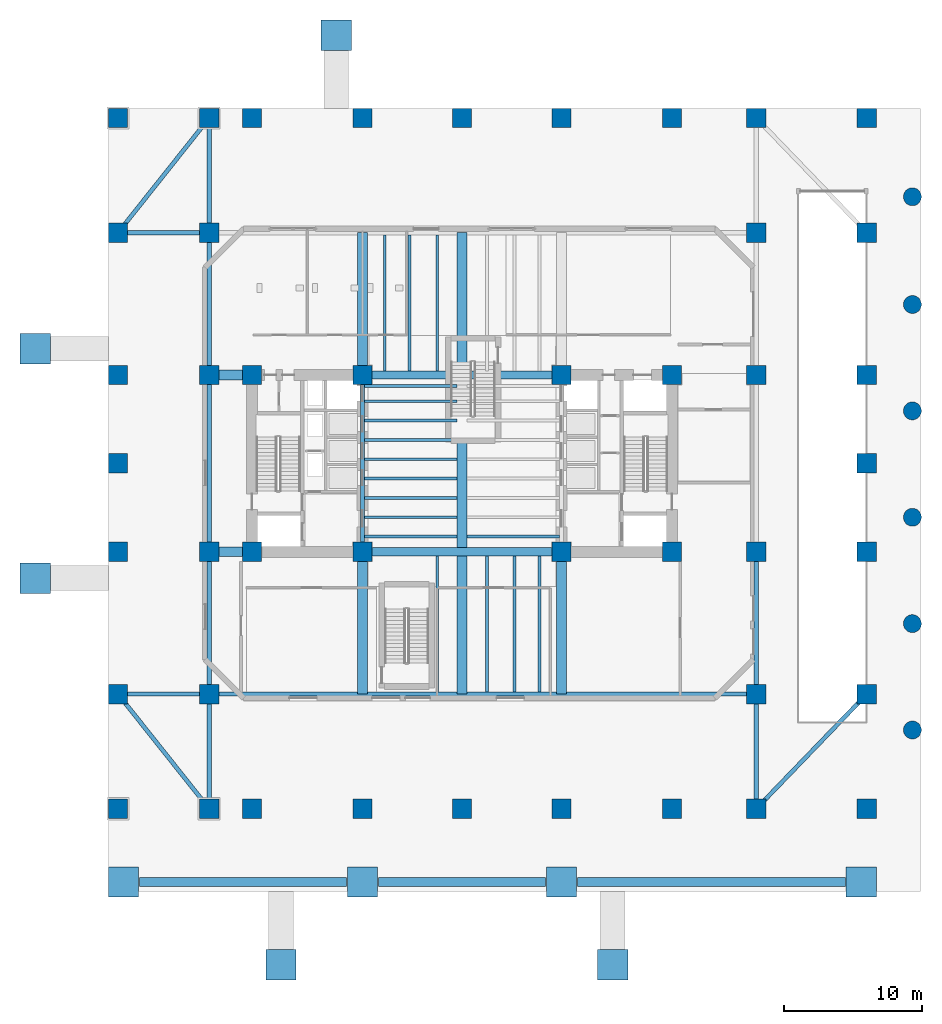
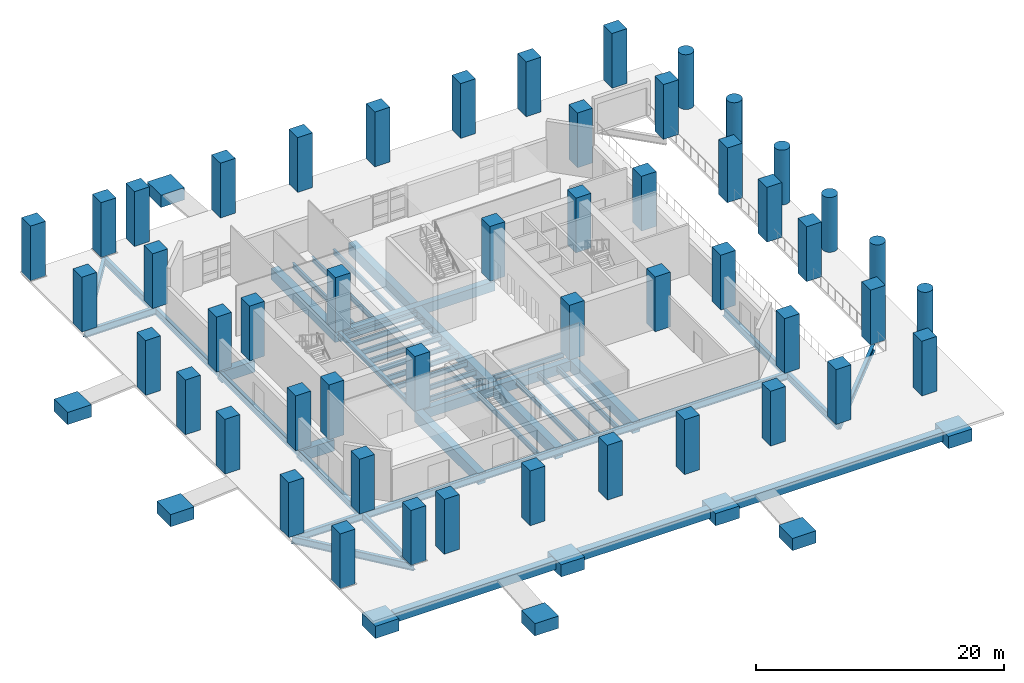
# One storey, part 1 of 12: 50 columns, 41 beams, 12 footings.
"""IFC4 building model written with IfcOpenShell, lengths in metres."""

from ifc_helpers import new_model, si_unit, direction, frame, origin, origin_2d, place, context, subcontext, project, spatial, rectangle, circle, i_section, extrude, material, layer, layer_set, material_profile, profile_set, type_object, element, save


model = new_model("IFC4")

# Units and contexts
model_context = context("Model", 3, precision=1e-05, world=origin(), true_north=direction((0.0, 1.0)))
body_context = subcontext(model_context, "Body", "Model", "MODEL_VIEW")
ifc_project = project(units=[si_unit("LENGTHUNIT", "METRE"), si_unit("AREAUNIT", "SQUARE_METRE"), si_unit("VOLUMEUNIT", "CUBIC_METRE"), si_unit("PLANEANGLEUNIT", "RADIAN"), si_unit("MASSUNIT", "GRAM", prefix="KILO")], contexts=[model_context])

# Site, building, storey
site_placement = place(None, origin())
site = spatial("IfcSite", under=ifc_project, at=site_placement, CompositionType="ELEMENT")
building_placement = place(site_placement, origin())
building = spatial("IfcBuilding", under=site, at=building_placement, Name="Kranthara Brick Stack", CompositionType="ELEMENT")
storey_placement = place(building_placement, origin())
storey = spatial("IfcBuildingStorey", under=building, at=storey_placement, Name="L00", CompositionType="ELEMENT", Elevation=0.0)

# Footings
ifc_material_1 = material(Name="Concrete C50/60", Category="concrete")
ifc_layer = layer(ifc_material_1, 1.199951171875)
ifc_layer_set = layer_set([ifc_layer], Name="Concrete C50/60")
footing_type_1 = type_object("IfcFootingType", Name="FT-PAD-2200", PredefinedType="PAD_FOOTING", material=ifc_layer_set)
for number, where, z_axis, x_axis, name in (
    (1, (3.5, -3.10009765625, -1.4501953125), (0.0, 0.0, 1.0), (1.0, 0.0, 0.0), "South Forecourt Pad Footing F02-S1"),
    (2, (20.800048828125, -3.10009765625, -1.4501953125), (0.0, 0.0, 1.0), (1.0, 0.0, 0.0), "South Forecourt Pad Footing F02-S2"),
    (3, (35.199951171875, -3.10009765625, -1.4501953125), (0.0, 0.0, 1.0), (1.0, 0.0, 0.0), "South Forecourt Pad Footing F02-S3"),
    (4, (56.89990234375, -3.10009765625, -1.4501953125), (0.0, 0.0, 1.0), (1.0, 0.0, 0.0), "South Forecourt Pad Footing F02-S4"),
    (5, (-2.89501953125, 18.89990234375, -1.5498046875), (0.0, 0.0, 1.0), (1.0, 0.0, 0.0), "Entrance Ramp Toe Pad Footing F02-R1"),
    (6, (-2.89501953125, 35.5, -1.5498046875), (0.0, 0.0, 1.0), (1.0, 0.0, 0.0), "Entrance Ramp Toe Pad Footing F02-R2"),
    (7, (14.89990234375, -9.094970703125, -1.5498046875), (0.0, 0.0, 1.0), (1.0, 0.0, 0.0), "Entrance Ramp Toe Pad Footing F02-R3"),
    (8, (38.89990234375, -9.094970703125, -1.5498046875), (0.0, 0.0, 1.0), (1.0, 0.0, 0.0), "Entrance Ramp Toe Pad Footing F02-R4"),
    (9, (18.89990234375, 58.195068359375, -1.5498046875), (0.0, 0.0, 1.0), (1.0, 0.0, 0.0), "Entrance Ramp Toe Pad Footing F02-R5"),
):
    element("IfcFooting", number, at=place(storey_placement, frame(where, z_axis=z_axis, x_axis=x_axis)), inside=storey, type_object=footing_type_1, Name=name, PredefinedType="PAD_FOOTING", context=body_context, shape_type="SweptSolid", body=[
        extrude(rectangle(XDim=2.199951171875, YDim=2.199951171875, at=origin_2d()), origin(), (0.0, 0.0, 1.0), 1.199951171875),
    ])
ifc_material_2 = material(Name="Concrete C50/60", Category="concrete")
ifc_material_profile_1 = material_profile(ifc_material_2, rectangle(XDim=0.64990234375, YDim=0.89990234375, at=origin_2d()), Name="RC 650x900")
ifc_profile_set_1 = profile_set([ifc_material_profile_1], Name="Concrete C50/60")
footing_type_2 = type_object("IfcFootingType", Name="FT-SF-900x1000", PredefinedType="STRIP_FOOTING", material=ifc_profile_set_1)
footing_1_placement = place(storey_placement, frame((4.64990234375, -3.10009765625, -0.699951171875), z_axis=(1.0, 0.0, 0.0), x_axis=(0.0, 1.0, 0.0)))
element("IfcFooting", 10, at=footing_1_placement, inside=storey, type_object=footing_type_2, Name="South Forecourt Strip Footing F04-S1", PredefinedType="STRIP_FOOTING", context=body_context, shape_type="SweptSolid", body=[
    extrude(rectangle(XDim=0.64990234375, YDim=0.89990234375, at=origin_2d()), origin(), (0.0, 0.0, 1.0), 15.0),
])
footing_2_placement = place(storey_placement, frame((21.949951171875, -3.10009765625, -0.699951171875), z_axis=(1.0, 0.0, 0.0), x_axis=(0.0, 1.0, 0.0)))
element("IfcFooting", 11, at=footing_2_placement, inside=storey, type_object=footing_type_2, Name="South Forecourt Strip Footing F04-S2", PredefinedType="STRIP_FOOTING", context=body_context, shape_type="SweptSolid", body=[
    extrude(rectangle(XDim=0.64990234375, YDim=0.89990234375, at=origin_2d()), origin(), (0.0, 0.0, 1.0), 12.10009765625),
])
footing_3_placement = place(storey_placement, frame((36.35009765625, -3.10009765625, -0.699951171875), z_axis=(1.0, 0.0, 0.0), x_axis=(0.0, 1.0, 0.0)))
element("IfcFooting", 12, at=footing_3_placement, inside=storey, type_object=footing_type_2, Name="South Forecourt Strip Footing F04-S3", PredefinedType="STRIP_FOOTING", context=body_context, shape_type="SweptSolid", body=[
    extrude(rectangle(XDim=0.64990234375, YDim=0.89990234375, at=origin_2d()), origin(), (0.0, 0.0, 1.0), 19.39990234375),
])

# Columns
ifc_material_3 = material(Name="Concrete C70/85", Category="concrete")
ifc_material_profile_2 = material_profile(ifc_material_3, rectangle(XDim=1.39990234375, YDim=1.39990234375, at=origin_2d()), Name="RC 1400x1400")
ifc_profile_set_2 = profile_set([ifc_material_profile_2], Name="Concrete C70/85")
column_type_1 = type_object("IfcColumnType", Name="COL-CORE-1400", PredefinedType="COLUMN", material=ifc_profile_set_2)
for number, where, z_axis, x_axis, name in (
    (13, (12.800048828125, 20.800048828125, 0.0), (0.0, 0.0, 1.0), (1.0, 0.0, 0.0), "L00 Column 01"),
    (14, (20.800048828125, 20.800048828125, 0.0), (0.0, 0.0, 1.0), (1.0, 0.0, 0.0), "L00 Column 02"),
    (15, (12.800048828125, 33.60009765625, 0.0), (0.0, 0.0, 1.0), (1.0, 0.0, 0.0), "L00 Column 03"),
    (16, (20.800048828125, 33.60009765625, 0.0), (0.0, 0.0, 1.0), (1.0, 0.0, 0.0), "L00 Column 04"),
    (17, (35.199951171875, 20.800048828125, 0.0), (0.0, 0.0, 1.0), (1.0, 0.0, 0.0), "L00 Column 05"),
    (18, (43.199951171875, 20.800048828125, 0.0), (0.0, 0.0, 1.0), (1.0, 0.0, 0.0), "L00 Column 06"),
    (19, (35.199951171875, 33.60009765625, 0.0), (0.0, 0.0, 1.0), (1.0, 0.0, 0.0), "L00 Column 07"),
    (20, (43.199951171875, 33.60009765625, 0.0), (0.0, 0.0, 1.0), (1.0, 0.0, 0.0), "L00 Column 08"),
):
    element("IfcColumn", number, at=place(storey_placement, frame(where, z_axis=z_axis, x_axis=x_axis)), inside=storey, type_object=column_type_1, Name=name, PredefinedType="COLUMN", context=body_context, shape_type="SweptSolid", body=[
        extrude(rectangle(XDim=1.39990234375, YDim=1.39990234375, at=origin_2d()), origin(), (0.0, 0.0, 1.0), 5.39990234375),
    ])
ifc_material_4 = material(Name="Concrete C70/85", Category="concrete")
ifc_material_profile_3 = material_profile(ifc_material_4, rectangle(XDim=1.39990234375, YDim=1.39990234375, at=origin_2d()), Name="RC 1400x1400")
ifc_profile_set_3 = profile_set([ifc_material_profile_3], Name="Concrete C70/85")
column_type_2 = type_object("IfcColumnType", Name="COL-RC-1400", PredefinedType="COLUMN", material=ifc_profile_set_3)
for number, where, z_axis, x_axis, name in (
    (21, (3.10009765625, 2.199951171875, 0.0), (0.0, 0.0, 1.0), (1.0, 0.0, 0.0), "L00 Column 09"),
    (22, (3.10009765625, 52.199951171875, 0.0), (0.0, 0.0, 1.0), (1.0, 0.0, 0.0), "L00 Column 10"),
    (23, (9.699951171875, 2.199951171875, 0.0), (0.0, 0.0, 1.0), (1.0, 0.0, 0.0), "L00 Column 11"),
    (24, (9.699951171875, 52.199951171875, 0.0), (0.0, 0.0, 1.0), (1.0, 0.0, 0.0), "L00 Column 12"),
    (25, (12.800048828125, 2.199951171875, 0.0), (0.0, 0.0, 1.0), (1.0, 0.0, 0.0), "L00 Column 13"),
    (26, (12.800048828125, 52.199951171875, 0.0), (0.0, 0.0, 1.0), (1.0, 0.0, 0.0), "L00 Column 14"),
    (27, (20.800048828125, 2.199951171875, 0.0), (0.0, 0.0, 1.0), (1.0, 0.0, 0.0), "L00 Column 15"),
    (28, (20.800048828125, 52.199951171875, 0.0), (0.0, 0.0, 1.0), (1.0, 0.0, 0.0), "L00 Column 16"),
    (29, (28.0, 2.199951171875, 0.0), (0.0, 0.0, 1.0), (1.0, 0.0, 0.0), "L00 Column 17"),
    (30, (28.0, 52.199951171875, 0.0), (0.0, 0.0, 1.0), (1.0, 0.0, 0.0), "L00 Column 18"),
    (31, (35.199951171875, 2.199951171875, 0.0), (0.0, 0.0, 1.0), (1.0, 0.0, 0.0), "L00 Column 19"),
    (32, (35.199951171875, 52.199951171875, 0.0), (0.0, 0.0, 1.0), (1.0, 0.0, 0.0), "L00 Column 20"),
    (33, (43.199951171875, 2.199951171875, 0.0), (0.0, 0.0, 1.0), (1.0, 0.0, 0.0), "L00 Column 21"),
    (34, (43.199951171875, 52.199951171875, 0.0), (0.0, 0.0, 1.0), (1.0, 0.0, 0.0), "L00 Column 22"),
    (35, (49.300048828125, 2.199951171875, 0.0), (0.0, 0.0, 1.0), (1.0, 0.0, 0.0), "L00 Column 23"),
    (36, (49.300048828125, 52.199951171875, 0.0), (0.0, 0.0, 1.0), (1.0, 0.0, 0.0), "L00 Column 24"),
    (37, (57.300048828125, 2.199951171875, 0.0), (0.0, 0.0, 1.0), (1.0, 0.0, 0.0), "L00 Column 25"),
    (38, (57.300048828125, 52.199951171875, 0.0), (0.0, 0.0, 1.0), (1.0, 0.0, 0.0), "L00 Column 26"),
    (39, (3.10009765625, 10.5, 0.0), (0.0, 0.0, 1.0), (1.0, 0.0, 0.0), "L00 Column 27"),
    (40, (57.300048828125, 10.5, 0.0), (0.0, 0.0, 1.0), (1.0, 0.0, 0.0), "L00 Column 28"),
    (41, (3.10009765625, 20.800048828125, 0.0), (0.0, 0.0, 1.0), (1.0, 0.0, 0.0), "L00 Column 29"),
    (42, (57.300048828125, 20.800048828125, 0.0), (0.0, 0.0, 1.0), (1.0, 0.0, 0.0), "L00 Column 30"),
    (43, (3.10009765625, 27.199951171875, 0.0), (0.0, 0.0, 1.0), (1.0, 0.0, 0.0), "L00 Column 31"),
    (44, (57.300048828125, 27.199951171875, 0.0), (0.0, 0.0, 1.0), (1.0, 0.0, 0.0), "L00 Column 32"),
    (45, (3.10009765625, 33.60009765625, 0.0), (0.0, 0.0, 1.0), (1.0, 0.0, 0.0), "L00 Column 33"),
    (46, (57.300048828125, 33.60009765625, 0.0), (0.0, 0.0, 1.0), (1.0, 0.0, 0.0), "L00 Column 34"),
    (47, (3.10009765625, 43.89990234375, 0.0), (0.0, 0.0, 1.0), (1.0, 0.0, 0.0), "L00 Column 35"),
    (48, (57.300048828125, 43.89990234375, 0.0), (0.0, 0.0, 1.0), (1.0, 0.0, 0.0), "L00 Column 36"),
    (49, (9.699951171875, 10.5, 0.0), (0.0, 0.0, 1.0), (1.0, 0.0, 0.0), "L00 Column 37"),
    (50, (9.699951171875, 20.800048828125, 0.0), (0.0, 0.0, 1.0), (1.0, 0.0, 0.0), "L00 Column 38"),
    (51, (9.699951171875, 33.60009765625, 0.0), (0.0, 0.0, 1.0), (1.0, 0.0, 0.0), "L00 Column 39"),
    (52, (9.699951171875, 43.89990234375, 0.0), (0.0, 0.0, 1.0), (1.0, 0.0, 0.0), "L00 Column 40"),
    (53, (49.300048828125, 10.5, 0.0), (0.0, 0.0, 1.0), (1.0, 0.0, 0.0), "L00 Column 41"),
    (54, (49.300048828125, 20.800048828125, 0.0), (0.0, 0.0, 1.0), (1.0, 0.0, 0.0), "L00 Column 42"),
    (55, (49.300048828125, 33.60009765625, 0.0), (0.0, 0.0, 1.0), (1.0, 0.0, 0.0), "L00 Column 43"),
    (56, (49.300048828125, 43.89990234375, 0.0), (0.0, 0.0, 1.0), (1.0, 0.0, 0.0), "L00 Column 44"),
):
    element("IfcColumn", number, at=place(storey_placement, frame(where, z_axis=z_axis, x_axis=x_axis)), inside=storey, type_object=column_type_2, Name=name, PredefinedType="COLUMN", context=body_context, shape_type="SweptSolid", body=[
        extrude(rectangle(XDim=1.39990234375, YDim=1.39990234375, at=origin_2d()), origin(), (0.0, 0.0, 1.0), 5.39990234375),
    ])
ifc_material_5 = material(Name="Concrete C70/85", Category="concrete")
ifc_material_profile_4 = material_profile(ifc_material_5, circle(Radius=0.64990234375, at=origin_2d()), Name="RC D1300")
ifc_profile_set_4 = profile_set([ifc_material_profile_4], Name="Concrete C70/85")
column_type_3 = type_object("IfcColumnType", Name="COL-RC-D1300", PredefinedType="COLUMN", material=ifc_profile_set_4)
for number, where, z_axis, x_axis, name in (
    (57, (60.60009765625, 7.89990234375, 0.0), (0.0, 0.0, 1.0), (1.0, 0.0, 0.0), "L00 Column 45"),
    (58, (60.60009765625, 15.60009765625, 0.0), (0.0, 0.0, 1.0), (1.0, 0.0, 0.0), "L00 Column 46"),
    (59, (60.60009765625, 23.300048828125, 0.0), (0.0, 0.0, 1.0), (1.0, 0.0, 0.0), "L00 Column 47"),
    (60, (60.60009765625, 31.0, 0.0), (0.0, 0.0, 1.0), (1.0, 0.0, 0.0), "L00 Column 48"),
    (61, (60.60009765625, 38.699951171875, 0.0), (0.0, 0.0, 1.0), (1.0, 0.0, 0.0), "L00 Column 49"),
    (62, (60.60009765625, 46.5, 0.0), (0.0, 0.0, 1.0), (1.0, 0.0, 0.0), "L00 Column 50"),
):
    element("IfcColumn", number, at=place(storey_placement, frame(where, z_axis=z_axis, x_axis=x_axis)), inside=storey, type_object=column_type_3, Name=name, PredefinedType="COLUMN", context=body_context, shape_type="SweptSolid", body=[
        extrude(circle(Radius=0.64990234375, at=origin_2d()), origin(), (0.0, 0.0, 1.0), 5.39990234375),
    ])

# Beams
ifc_material_6 = material(Name="Concrete C60/75", Category="concrete")
ifc_material_profile_5 = material_profile(ifc_material_6, rectangle(XDim=0.60009765625, YDim=0.949951171875, at=origin_2d()), Name="RC 600x950")
ifc_profile_set_5 = profile_set([ifc_material_profile_5], Name="Concrete C60/75")
beam_type_1 = type_object("IfcBeamType", Name="BM-CPL-RC950", PredefinedType="LINTEL", material=ifc_profile_set_5)
for number, where, z_axis, x_axis, name in (
    (63, (20.800048828125, 20.800048828125, -0.925048828125), (1.0, 0.0, 0.0), (0.0, 1.0, 0.0), "L00 Core Coupling Beam 001"),
    (64, (20.800048828125, 33.60009765625, -0.925048828125), (1.0, 0.0, 0.0), (0.0, 1.0, 0.0), "L00 Core Coupling Beam 002"),
):
    element("IfcBeam", number, at=place(storey_placement, frame(where, z_axis=z_axis, x_axis=x_axis)), inside=storey, type_object=beam_type_1, Name=name, PredefinedType="LINTEL", context=body_context, shape_type="SweptSolid", body=[
        extrude(rectangle(XDim=0.60009765625, YDim=0.949951171875, at=origin_2d()), origin(), (0.0, 0.0, 1.0), 14.39990234375),
    ])
ifc_material_7 = material(Name="Steel S355", Category="steel")
ifc_material_profile_6 = material_profile(ifc_material_7, i_section(OverallWidth=0.199951171875, OverallDepth=0.5, WebThickness=0.01025390625, FlangeThickness=0.01611328125, at=origin_2d()), Name="IPE 500")
ifc_profile_set_6 = profile_set([ifc_material_profile_6], Name="Steel S355")
beam_type_2 = type_object("IfcBeamType", Name="BM-JST-IPE500", PredefinedType="JOIST", material=ifc_profile_set_6)
for number, where, z_axis, x_axis, name in (
    (65, (20.949951171875, 21.89990234375, -0.699951171875), (1.0, 0.0, 0.0), (0.0, 1.0, 0.0), "L00 Central Floor Joist 032"),
    (66, (28.35009765625, 21.89990234375, -0.699951171875), (1.0, 0.0, 0.0), (0.0, 1.0, 0.0), "L00 Central Floor Joist 033"),
    (67, (20.949951171875, 23.300048828125, -0.699951171875), (1.0, 0.0, 0.0), (0.0, 1.0, 0.0), "L00 Central Floor Joist 034"),
    (68, (20.949951171875, 24.699951171875, -0.699951171875), (1.0, 0.0, 0.0), (0.0, 1.0, 0.0), "L00 Central Floor Joist 036"),
    (69, (20.949951171875, 26.10009765625, -0.699951171875), (1.0, 0.0, 0.0), (0.0, 1.0, 0.0), "L00 Central Floor Joist 038"),
    (70, (20.949951171875, 27.5, -0.699951171875), (1.0, 0.0, 0.0), (0.0, 1.0, 0.0), "L00 Central Floor Joist 040"),
    (71, (20.949951171875, 28.89990234375, -0.699951171875), (1.0, 0.0, 0.0), (0.0, 1.0, 0.0), "L00 Central Floor Joist 042"),
    (72, (20.949951171875, 30.300048828125, -0.699951171875), (1.0, 0.0, 0.0), (0.0, 1.0, 0.0), "L00 Central Floor Joist 044"),
    (73, (20.949951171875, 31.699951171875, -0.699951171875), (1.0, 0.0, 0.0), (0.0, 1.0, 0.0), "L00 Central Floor Joist 046"),
    (74, (20.949951171875, 32.800048828125, -0.699951171875), (1.0, 0.0, 0.0), (0.0, 1.0, 0.0), "L00 Central Floor Joist 048"),
):
    element("IfcBeam", number, at=place(storey_placement, frame(where, z_axis=z_axis, x_axis=x_axis)), inside=storey, type_object=beam_type_2, Name=name, PredefinedType="JOIST", context=body_context, shape_type="SweptSolid", body=[
        extrude(i_section(OverallWidth=0.199951171875, OverallDepth=0.5, WebThickness=0.01025390625, FlangeThickness=0.01611328125, at=origin_2d()), origin(), (0.0, 0.0, 1.0), 6.699951171875),
    ])
for number, where, z_axis, x_axis, name in (
    (75, (22.39990234375, 33.89990234375, -0.699951171875), (0.0, 1.0, 0.0), (-1.0, 0.0, 0.0), "L00 North Wing Floor Joist 050"),
    (76, (24.199951171875, 33.89990234375, -0.699951171875), (0.0, 1.0, 0.0), (-1.0, 0.0, 0.0), "L00 North Wing Floor Joist 051"),
    (77, (26.199951171875, 10.64990234375, -0.699951171875), (0.0, 1.0, 0.0), (-1.0, 0.0, 0.0), "L00 South Wing Floor Joist 052"),
    (78, (26.199951171875, 33.89990234375, -0.699951171875), (0.0, 1.0, 0.0), (-1.0, 0.0, 0.0), "L00 North Wing Floor Joist 053"),
    (79, (29.800048828125, 10.64990234375, -0.699951171875), (0.0, 1.0, 0.0), (-1.0, 0.0, 0.0), "L00 South Wing Floor Joist 054"),
    (80, (31.800048828125, 10.64990234375, -0.699951171875), (0.0, 1.0, 0.0), (-1.0, 0.0, 0.0), "L00 South Wing Floor Joist 056"),
    (81, (33.60009765625, 10.64990234375, -0.699951171875), (0.0, 1.0, 0.0), (-1.0, 0.0, 0.0), "L00 South Wing Floor Joist 058"),
):
    element("IfcBeam", number, at=place(storey_placement, frame(where, z_axis=z_axis, x_axis=x_axis)), inside=storey, type_object=beam_type_2, Name=name, PredefinedType="JOIST", context=body_context, shape_type="SweptSolid", body=[
        extrude(i_section(OverallWidth=0.199951171875, OverallDepth=0.5, WebThickness=0.01025390625, FlangeThickness=0.01611328125, at=origin_2d()), origin(), (0.0, 0.0, 1.0), 9.85009765625),
    ])
ifc_material_8 = material(Name="Post-tensioned concrete C45/55", Category="concrete")
ifc_material_profile_7 = material_profile(ifc_material_8, rectangle(XDim=0.699951171875, YDim=1.10009765625, at=origin_2d()), Name="PT 700x1100")
ifc_profile_set_7 = profile_set([ifc_material_profile_7], Name="Post-tensioned concrete C45/55")
beam_type_3 = type_object("IfcBeamType", Name="BM-POD-PT1100", PredefinedType="BEAM", material=ifc_profile_set_7)
beam_1_placement = place(storey_placement, frame((20.800048828125, 10.5, -1.0), z_axis=(0.0, 1.0, 0.0), x_axis=(-1.0, 0.0, 0.0)))
element("IfcBeam", 82, at=beam_1_placement, inside=storey, type_object=beam_type_3, Name="L00 Primary Grid Girder 023", PredefinedType="BEAM", context=body_context, shape_type="SweptSolid", body=[
    extrude(rectangle(XDim=0.699951171875, YDim=1.10009765625, at=origin_2d()), origin(), (0.0, 0.0, 1.0), 10.300048828125),
])
beam_2_placement = place(storey_placement, frame((20.800048828125, 33.60009765625, -1.0), z_axis=(0.0, 1.0, 0.0), x_axis=(-1.0, 0.0, 0.0)))
element("IfcBeam", 83, at=beam_2_placement, inside=storey, type_object=beam_type_3, Name="L00 Primary Grid Girder 024", PredefinedType="BEAM", context=body_context, shape_type="SweptSolid", body=[
    extrude(rectangle(XDim=0.699951171875, YDim=1.10009765625, at=origin_2d()), origin(), (0.0, 0.0, 1.0), 10.2998046875),
])
beam_3_placement = place(storey_placement, frame((28.0, 10.5, -1.0), z_axis=(0.0, 1.0, 0.0), x_axis=(-1.0, 0.0, 0.0)))
element("IfcBeam", 84, at=beam_3_placement, inside=storey, type_object=beam_type_3, Name="L00 Primary Grid Girder 025", PredefinedType="BEAM", context=body_context, shape_type="SweptSolid", body=[
    extrude(rectangle(XDim=0.699951171875, YDim=1.10009765625, at=origin_2d()), origin(), (0.0, 0.0, 1.0), 10.0),
])
beam_4_placement = place(storey_placement, frame((28.0, 21.10009765625, -1.0), z_axis=(0.0, 1.0, 0.0), x_axis=(-1.0, 0.0, 0.0)))
element("IfcBeam", 85, at=beam_4_placement, inside=storey, type_object=beam_type_3, Name="L00 Central Spine Girder 026", PredefinedType="BEAM", context=body_context, shape_type="SweptSolid", body=[
    extrude(rectangle(XDim=0.699951171875, YDim=1.10009765625, at=origin_2d()), origin(), (0.0, 0.0, 1.0), 12.199951171875),
])
beam_5_placement = place(storey_placement, frame((28.0, 33.89990234375, -1.0), z_axis=(0.0, 1.0, 0.0), x_axis=(-1.0, 0.0, 0.0)))
element("IfcBeam", 86, at=beam_5_placement, inside=storey, type_object=beam_type_3, Name="L00 Primary Grid Girder 027", PredefinedType="BEAM", context=body_context, shape_type="SweptSolid", body=[
    extrude(rectangle(XDim=0.699951171875, YDim=1.10009765625, at=origin_2d()), origin(), (0.0, 0.0, 1.0), 10.0),
])
beam_6_placement = place(storey_placement, frame((35.199951171875, 10.5, -1.0), z_axis=(0.0, 1.0, 0.0), x_axis=(-1.0, 0.0, 0.0)))
element("IfcBeam", 87, at=beam_6_placement, inside=storey, type_object=beam_type_3, Name="L00 Primary Grid Girder 028", PredefinedType="BEAM", context=body_context, shape_type="SweptSolid", body=[
    extrude(rectangle(XDim=0.699951171875, YDim=1.10009765625, at=origin_2d()), origin(), (0.0, 0.0, 1.0), 10.300048828125),
])
for number, where, z_axis, x_axis, name in (
    (88, (9.699951171875, 20.800048828125, -1.0), (1.0, 0.0, 0.0), (0.0, 1.0, 0.0), "L00 Primary Grid Girder 030"),
    (89, (9.699951171875, 33.60009765625, -1.0), (1.0, 0.0, 0.0), (0.0, 1.0, 0.0), "L00 Primary Grid Girder 031"),
):
    element("IfcBeam", number, at=place(storey_placement, frame(where, z_axis=z_axis, x_axis=x_axis)), inside=storey, type_object=beam_type_3, Name=name, PredefinedType="BEAM", context=body_context, shape_type="SweptSolid", body=[
        extrude(rectangle(XDim=0.699951171875, YDim=1.10009765625, at=origin_2d()), origin(), (0.0, 0.0, 1.0), 3.10009765625),
    ])
ifc_material_9 = material(Name="Steel S355", Category="steel")
ifc_material_profile_8 = material_profile(ifc_material_9, i_section(OverallWidth=0.300048828125, OverallDepth=0.449951171875, WebThickness=0.013916015625, FlangeThickness=0.02587890625, at=origin_2d()), Name="HEB 450")
ifc_profile_set_8 = profile_set([ifc_material_profile_8], Name="Steel S355")
beam_type_4 = type_object("IfcBeamType", Name="BM-STL-HEB450", PredefinedType="SPANDREL", material=ifc_profile_set_8)
beam_7_placement = place(storey_placement, frame((20.800048828125, 20.800048828125, -0.675048828125), z_axis=(0.0, 1.0, 0.0), x_axis=(-1.0, 0.0, 0.0)))
element("IfcBeam", 90, at=beam_7_placement, inside=storey, type_object=beam_type_4, Name="L00 Core Edge Tie Beam 003", PredefinedType="SPANDREL", context=body_context, shape_type="SweptSolid", body=[
    extrude(i_section(OverallWidth=0.300048828125, OverallDepth=0.449951171875, WebThickness=0.013916015625, FlangeThickness=0.02587890625, at=origin_2d()), origin(), (0.0, 0.0, 1.0), 12.800048828125),
])
ifc_material_10 = material(Name="Steel S355", Category="steel")
ifc_material_profile_9 = material_profile(ifc_material_10, i_section(OverallWidth=0.300048828125, OverallDepth=0.699951171875, WebThickness=0.01708984375, FlangeThickness=0.031982421875, at=origin_2d()), Name="HEB 700")
ifc_profile_set_9 = profile_set([ifc_material_profile_9], Name="Steel S355")
beam_type_5 = type_object("IfcBeamType", Name="BM-STL-HEB700", PredefinedType="BEAM", material=ifc_profile_set_9)
beam_8_placement = place(storey_placement, frame((3.10009765625, 10.5, -0.800048828125), z_axis=(1.0, 0.0, 0.0), x_axis=(0.0, 1.0, 0.0)))
element("IfcBeam", 91, at=beam_8_placement, inside=storey, type_object=beam_type_5, Name="L00 Perimeter Spandrel Beam 005", PredefinedType="BEAM", context=body_context, shape_type="SweptSolid", body=[
    extrude(i_section(OverallWidth=0.300048828125, OverallDepth=0.699951171875, WebThickness=0.01708984375, FlangeThickness=0.031982421875, at=origin_2d()), origin(), (0.0, 0.0, 1.0), 6.599853515625),
])
beam_9_placement = place(storey_placement, frame((9.699951171875, 10.5, -0.800048828125), z_axis=(1.0, 0.0, 0.0), x_axis=(0.0, 1.0, 0.0)))
element("IfcBeam", 92, at=beam_9_placement, inside=storey, type_object=beam_type_5, Name="L00 Perimeter Spandrel Beam 006", PredefinedType="BEAM", context=body_context, shape_type="SweptSolid", body=[
    extrude(i_section(OverallWidth=0.300048828125, OverallDepth=0.699951171875, WebThickness=0.01708984375, FlangeThickness=0.031982421875, at=origin_2d()), origin(), (0.0, 0.0, 1.0), 39.60009765625),
])
beam_10_placement = place(storey_placement, frame((3.10009765625, 43.89990234375, -0.800048828125), z_axis=(1.0, 0.0, 0.0), x_axis=(0.0, 1.0, 0.0)))
element("IfcBeam", 93, at=beam_10_placement, inside=storey, type_object=beam_type_5, Name="L00 Perimeter Spandrel Beam 007", PredefinedType="BEAM", context=body_context, shape_type="SweptSolid", body=[
    extrude(i_section(OverallWidth=0.300048828125, OverallDepth=0.699951171875, WebThickness=0.01708984375, FlangeThickness=0.031982421875, at=origin_2d()), origin(), (0.0, 0.0, 1.0), 6.599853515625),
])
beam_11_placement = place(storey_placement, frame((9.699951171875, 2.199951171875, -0.800048828125), z_axis=(0.0, 1.0, 0.0), x_axis=(-1.0, 0.0, 0.0)))
element("IfcBeam", 94, at=beam_11_placement, inside=storey, type_object=beam_type_5, Name="L00 Perimeter Spandrel Beam 009", PredefinedType="BEAM", context=body_context, shape_type="SweptSolid", body=[
    extrude(i_section(OverallWidth=0.300048828125, OverallDepth=0.699951171875, WebThickness=0.01708984375, FlangeThickness=0.031982421875, at=origin_2d()), origin(), (0.0, 0.0, 1.0), 8.300048828125),
])
beam_12_placement = place(storey_placement, frame((9.699951171875, 10.5, -0.800048828125), z_axis=(0.0, 1.0, 0.0), x_axis=(-1.0, 0.0, 0.0)))
element("IfcBeam", 95, at=beam_12_placement, inside=storey, type_object=beam_type_5, Name="L00 Perimeter Spandrel Beam 010", PredefinedType="BEAM", context=body_context, shape_type="SweptSolid", body=[
    extrude(i_section(OverallWidth=0.300048828125, OverallDepth=0.699951171875, WebThickness=0.01708984375, FlangeThickness=0.031982421875, at=origin_2d()), origin(), (0.0, 0.0, 1.0), 10.300048828125),
])
beam_13_placement = place(storey_placement, frame((9.699951171875, 20.800048828125, -0.800048828125), z_axis=(0.0, 1.0, 0.0), x_axis=(-1.0, 0.0, 0.0)))
element("IfcBeam", 96, at=beam_13_placement, inside=storey, type_object=beam_type_5, Name="L00 Perimeter Spandrel Beam 011", PredefinedType="BEAM", context=body_context, shape_type="SweptSolid", body=[
    extrude(i_section(OverallWidth=0.300048828125, OverallDepth=0.699951171875, WebThickness=0.01708984375, FlangeThickness=0.031982421875, at=origin_2d()), origin(), (0.0, 0.0, 1.0), 12.800048828125),
])
beam_14_placement = place(storey_placement, frame((9.699951171875, 33.60009765625, -0.800048828125), z_axis=(0.0, 1.0, 0.0), x_axis=(-1.0, 0.0, 0.0)))
element("IfcBeam", 97, at=beam_14_placement, inside=storey, type_object=beam_type_5, Name="L00 Perimeter Spandrel Beam 012", PredefinedType="BEAM", context=body_context, shape_type="SweptSolid", body=[
    extrude(i_section(OverallWidth=0.300048828125, OverallDepth=0.699951171875, WebThickness=0.01708984375, FlangeThickness=0.031982421875, at=origin_2d()), origin(), (0.0, 0.0, 1.0), 10.2998046875),
])
for number, where, z_axis, x_axis, name in (
    (98, (9.699951171875, 43.89990234375, -0.800048828125), (0.0, 1.0, 0.0), (-1.0, 0.0, 0.0), "L00 Perimeter Spandrel Beam 013"),
    (99, (49.300048828125, 2.199951171875, -0.800048828125), (0.0, 1.0, 0.0), (-1.0, 0.0, 0.0), "L00 Perimeter Spandrel Beam 014"),
):
    element("IfcBeam", number, at=place(storey_placement, frame(where, z_axis=z_axis, x_axis=x_axis)), inside=storey, type_object=beam_type_5, Name=name, PredefinedType="BEAM", context=body_context, shape_type="SweptSolid", body=[
        extrude(i_section(OverallWidth=0.300048828125, OverallDepth=0.699951171875, WebThickness=0.01708984375, FlangeThickness=0.031982421875, at=origin_2d()), origin(), (0.0, 0.0, 1.0), 8.300048828125),
    ])
beam_15_placement = place(storey_placement, frame((49.300048828125, 10.5, -0.800048828125), z_axis=(0.0, 1.0, 0.0), x_axis=(-1.0, 0.0, 0.0)))
element("IfcBeam", 100, at=beam_15_placement, inside=storey, type_object=beam_type_5, Name="L00 Perimeter Spandrel Beam 015", PredefinedType="BEAM", context=body_context, shape_type="SweptSolid", body=[
    extrude(i_section(OverallWidth=0.300048828125, OverallDepth=0.699951171875, WebThickness=0.01708984375, FlangeThickness=0.031982421875, at=origin_2d()), origin(), (0.0, 0.0, 1.0), 10.300048828125),
])
beam_16_placement = place(storey_placement, frame((3.10009765625, 10.5, -0.800048828125), z_axis=(0.622381586293, -0.782713971412, 0.0), x_axis=(0.782713971412, 0.622381586293, 0.0)))
element("IfcBeam", 101, at=beam_16_placement, inside=storey, type_object=beam_type_5, Name="L00 Chamfer Corner Spandrel 019", PredefinedType="BEAM", context=body_context, shape_type="SweptSolid", body=[
    extrude(i_section(OverallWidth=0.300048828125, OverallDepth=0.699951171875, WebThickness=0.01708984375, FlangeThickness=0.031982421875, at=origin_2d()), origin(), (0.0, 0.0, 1.0), 10.604248046875),
])
beam_17_placement = place(storey_placement, frame((57.300048828125, 10.5, -0.800048828125), z_axis=(-0.693972900726, -0.720001120178, 0.0), x_axis=(0.720001120178, -0.693972900726, 0.0)))
element("IfcBeam", 102, at=beam_17_placement, inside=storey, type_object=beam_type_5, Name="L00 Chamfer Corner Spandrel 020", PredefinedType="BEAM", context=body_context, shape_type="SweptSolid", body=[
    extrude(i_section(OverallWidth=0.300048828125, OverallDepth=0.699951171875, WebThickness=0.01708984375, FlangeThickness=0.031982421875, at=origin_2d()), origin(), (0.0, 0.0, 1.0), 11.52783203125),
])
beam_18_placement = place(storey_placement, frame((3.10009765625, 43.89990234375, -0.800048828125), z_axis=(0.622381586293, 0.782713971412, 0.0), x_axis=(-0.782713971412, 0.622381586293, 0.0)))
element("IfcBeam", 103, at=beam_18_placement, inside=storey, type_object=beam_type_5, Name="L00 Chamfer Corner Spandrel 021", PredefinedType="BEAM", context=body_context, shape_type="SweptSolid", body=[
    extrude(i_section(OverallWidth=0.300048828125, OverallDepth=0.699951171875, WebThickness=0.01708984375, FlangeThickness=0.031982421875, at=origin_2d()), origin(), (0.0, 0.0, 1.0), 10.604248046875),
])

save(model, "model.ifc")
